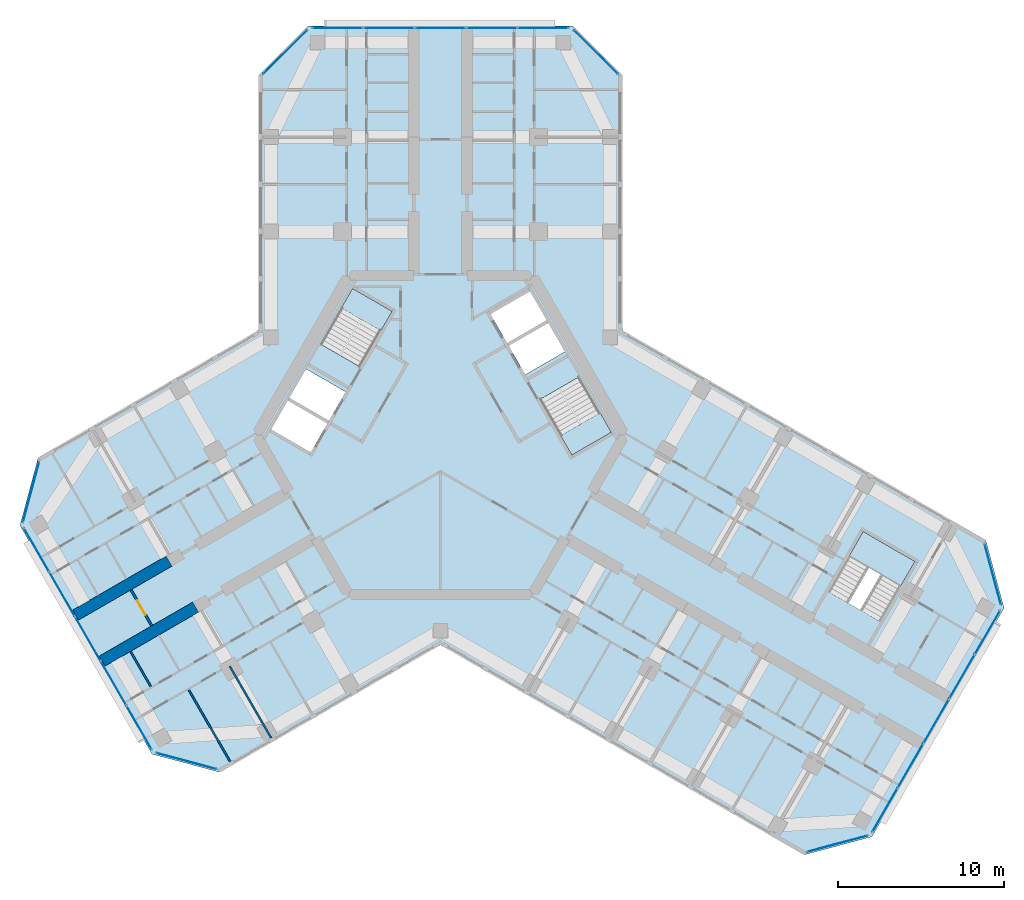
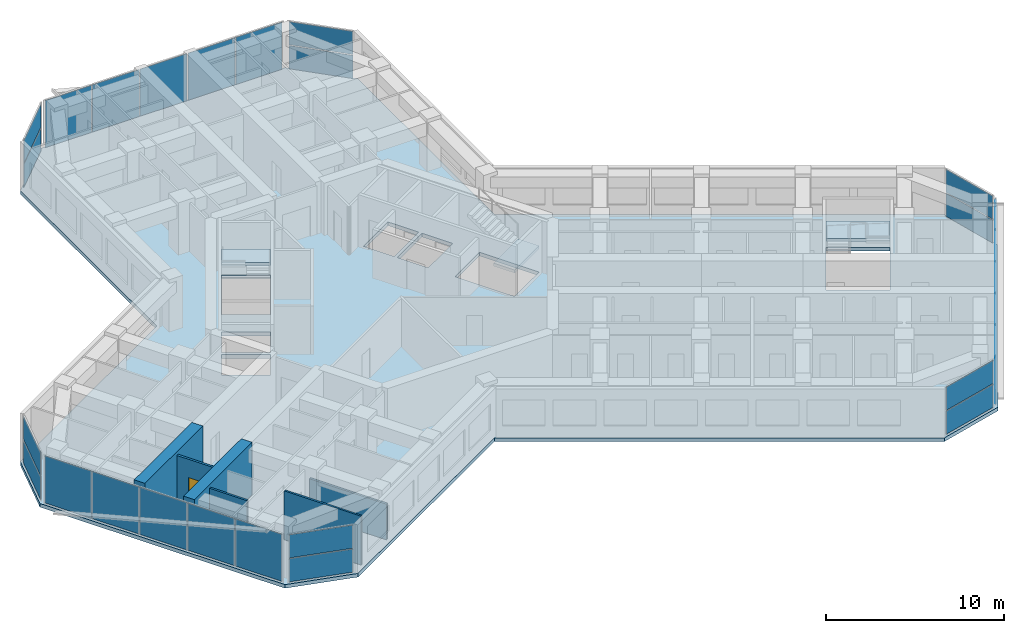
# One storey, part 7 of 16: 27 plates, 6 walls, 4 slabs, 1 door, 1 opening, 12 elements without a shape of their own.
"""IFC4 building model written with IfcOpenShell, lengths in metres."""

from ifc_helpers import new_model, si_unit, direction, frame, frame_2d, origin, origin_2d, place, context, subcontext, project, spatial, polyline, rectangle, outline, extrude, material, layer, layer_set, type_object, element, fill, aggregate, save


model = new_model("IFC4")

# Units and contexts
model_context = context("Model", 3, precision=1e-05, world=origin(), true_north=direction((0.0, 1.0)))
body_context = subcontext(model_context, "Body", "Model", "MODEL_VIEW")
ifc_project = project(units=[si_unit("LENGTHUNIT", "METRE"), si_unit("AREAUNIT", "SQUARE_METRE"), si_unit("VOLUMEUNIT", "CUBIC_METRE"), si_unit("PLANEANGLEUNIT", "RADIAN"), si_unit("MASSUNIT", "GRAM", prefix="KILO")], contexts=[model_context])

# Site, building, storey
site_placement = place(None, origin())
site = spatial("IfcSite", under=ifc_project, at=site_placement, CompositionType="ELEMENT")
building_placement = place(site_placement, origin())
building = spatial("IfcBuilding", under=site, at=building_placement, Name="Kosmar Iwan School Tower", CompositionType="ELEMENT")
storey_placement = place(building_placement, frame((0.0, 0.0, 208.199951171875)))
storey = spatial("IfcBuildingStorey", under=building, at=storey_placement, Name="L52", CompositionType="ELEMENT", Elevation=208.199951171875)

# Curtain wall, plates
ifc_material_1 = material(Name="Dark glass in black aluminium frame", Category="aluminium")
curtain_wall_type_1 = type_object("IfcCurtainWallType", Name="Chamfer curtain wall dark glass", PredefinedType="USERDEFINED", material=ifc_material_1)
curtain_wall_1_placement = place(storey_placement, origin())
curtain_wall_1 = element("IfcCurtainWall", 1, at=curtain_wall_1_placement, inside=storey, type_object=curtain_wall_type_1, Name="Curtain wall L52-F00", ObjectType="FACETED CURTAIN WALL", PredefinedType="USERDEFINED")
ifc_material_2 = material(Name="Dark glass", Category="glass")
ifc_layer_1 = layer(ifc_material_2, 0.028076171875)
ifc_layer_set_1 = layer_set([ifc_layer_1], Name="Dark glass panel 28")
plate_type = type_object("IfcPlateType", Name="Dark glass panel 28", PredefinedType="CURTAIN_PANEL", material=ifc_layer_set_1)
plate_1_placement = place(storey_placement, frame((23.908203125, -24.61328125, 0.06005859375), z_axis=(0.0, 0.0, 1.0), x_axis=(0.965925875495, 0.258818861462, 0.0)))
plate_1 = element("IfcPlate", 2, at=plate_1_placement, type_object=plate_type, Name="CW2 panel 1.1", PredefinedType="CURTAIN_PANEL", context=body_context, shape_type="SweptSolid", body=[
    extrude(rectangle(XDim=3.718994140625, YDim=0.028076171875, at=origin_2d()), origin(), (0.0, 0.0, 1.0), 1.5849609375),
])
plate_2_placement = place(storey_placement, frame((23.908203125, -24.61328125, 1.705078125), z_axis=(0.0, 0.0, 1.0), x_axis=(0.965925875495, 0.258818861462, 0.0)))
plate_2 = element("IfcPlate", 3, at=plate_2_placement, type_object=plate_type, Name="CW2 panel 1.2", PredefinedType="CURTAIN_PANEL", context=body_context, shape_type="SweptSolid", body=[
    extrude(rectangle(XDim=3.718994140625, YDim=0.028076171875, at=origin_2d()), origin(), (0.0, 0.0, 1.0), 1.5849609375),
])
aggregate(curtain_wall_1, [plate_1, plate_2])

ifc_material_3 = material(Name="Dark glass in black aluminium frame", Category="aluminium")
curtain_wall_type_2 = type_object("IfcCurtainWallType", Name="Tower curtain wall dark glass", PredefinedType="USERDEFINED", material=ifc_material_3)
curtain_wall_2_placement = place(storey_placement, origin())
curtain_wall_2 = element("IfcCurtainWall", 4, at=curtain_wall_2_placement, inside=storey, type_object=curtain_wall_type_2, Name="Curtain wall L52-F01", ObjectType="UNITISED CURTAIN WALL", PredefinedType="USERDEFINED")
plate_3_placement = place(storey_placement, frame((26.764404296875, -22.592529296875, 0.06005859375), z_axis=(0.0, 0.0, 1.0), x_axis=(0.499999997325, 0.866025405329, 0.0)))
plate_3 = element("IfcPlate", 5, at=plate_3_placement, type_object=plate_type, Name="CW1 panel 1.1", PredefinedType="CURTAIN_PANEL", context=body_context, shape_type="SweptSolid", body=[
    extrude(rectangle(XDim=3.00927734375, YDim=0.028076171875, at=origin_2d()), origin(), (0.0, 0.0, 1.0), 3.22998046875),
])
plate_4_placement = place(storey_placement, frame((28.306640625, -19.921630859375, 0.06005859375), z_axis=(0.0, 0.0, 1.0), x_axis=(0.499999997325, 0.866025405329, 0.0)))
plate_4 = element("IfcPlate", 6, at=plate_4_placement, type_object=plate_type, Name="CW1 panel 2.1", PredefinedType="CURTAIN_PANEL", context=body_context, shape_type="SweptSolid", body=[
    extrude(rectangle(XDim=3.039306640625, YDim=0.028076171875, at=origin_2d()), origin(), (0.0, 0.0, 1.0), 3.22998046875),
])
plate_5_placement = place(storey_placement, frame((29.856201171875, -17.237548828125, 0.06005859375), z_axis=(0.0, 0.0, 1.0), x_axis=(0.499999997325, 0.866025405329, 0.0)))
plate_5 = element("IfcPlate", 7, at=plate_5_placement, type_object=plate_type, Name="CW1 panel 3.1", PredefinedType="CURTAIN_PANEL", context=body_context, shape_type="SweptSolid", body=[
    extrude(rectangle(XDim=3.039306640625, YDim=0.028076171875, at=origin_2d()), origin(), (0.0, 0.0, 1.0), 3.22998046875),
])
plate_6_placement = place(storey_placement, frame((31.40576171875, -14.553466796875, 0.06005859375), z_axis=(0.0, 0.0, 1.0), x_axis=(0.499999997325, 0.866025405329, 0.0)))
plate_6 = element("IfcPlate", 8, at=plate_6_placement, type_object=plate_type, Name="CW1 panel 4.1", PredefinedType="CURTAIN_PANEL", context=body_context, shape_type="SweptSolid", body=[
    extrude(rectangle(XDim=3.039306640625, YDim=0.028076171875, at=origin_2d()), origin(), (0.0, 0.0, 1.0), 3.22998046875),
])
plate_7_placement = place(storey_placement, frame((32.947998046875, -11.88232421875, 0.06005859375), z_axis=(0.0, 0.0, 1.0), x_axis=(0.499999997325, 0.866025405329, 0.0)))
plate_7 = element("IfcPlate", 9, at=plate_7_placement, type_object=plate_type, Name="CW1 panel 5.1", PredefinedType="CURTAIN_PANEL", context=body_context, shape_type="SweptSolid", body=[
    extrude(rectangle(XDim=3.00927734375, YDim=0.028076171875, at=origin_2d()), origin(), (0.0, 0.0, 1.0), 3.22998046875),
])
aggregate(curtain_wall_2, [plate_3, plate_4, plate_5, plate_6, plate_7])

curtain_wall_3_placement = place(storey_placement, origin())
curtain_wall_3 = element("IfcCurtainWall", 10, at=curtain_wall_3_placement, inside=storey, type_object=curtain_wall_type_1, Name="Curtain wall L52-F02", ObjectType="FACETED CURTAIN WALL", PredefinedType="USERDEFINED")
plate_8_placement = place(storey_placement, frame((33.269775390625, -8.3984375, 0.06005859375), z_axis=(0.0, 0.0, 1.0), x_axis=(-0.258818861462, 0.965925875495, 0.0)))
plate_8 = element("IfcPlate", 11, at=plate_8_placement, type_object=plate_type, Name="CW2 panel 1.1", PredefinedType="CURTAIN_PANEL", context=body_context, shape_type="SweptSolid", body=[
    extrude(rectangle(XDim=3.718994140625, YDim=0.028076171875, at=origin_2d()), origin(), (0.0, 0.0, 1.0), 1.5849609375),
])
plate_9_placement = place(storey_placement, frame((33.269775390625, -8.3984375, 1.705078125), z_axis=(0.0, 0.0, 1.0), x_axis=(-0.258818861462, 0.965925875495, 0.0)))
plate_9 = element("IfcPlate", 12, at=plate_9_placement, type_object=plate_type, Name="CW2 panel 1.2", PredefinedType="CURTAIN_PANEL", context=body_context, shape_type="SweptSolid", body=[
    extrude(rectangle(XDim=3.718994140625, YDim=0.028076171875, at=origin_2d()), origin(), (0.0, 0.0, 1.0), 1.5849609375),
])
aggregate(curtain_wall_3, [plate_8, plate_9])

curtain_wall_4_placement = place(storey_placement, origin())
curtain_wall_4 = element("IfcCurtainWall", 13, at=curtain_wall_4_placement, inside=storey, type_object=curtain_wall_type_1, Name="Curtain wall L52-F05", ObjectType="FACETED CURTAIN WALL", PredefinedType="USERDEFINED")
plate_10_placement = place(storey_placement, frame((9.361572265625, 23.0615234375, 0.06005859375), z_axis=(0.0, 0.0, 1.0), x_axis=(-0.707106781187, 0.707106781187, 0.0)))
plate_10 = element("IfcPlate", 14, at=plate_10_placement, type_object=plate_type, Name="CW2 panel 1.1", PredefinedType="CURTAIN_PANEL", context=body_context, shape_type="SweptSolid", body=[
    extrude(rectangle(XDim=3.718994140625, YDim=0.028076171875, at=origin_2d()), origin(), (0.0, 0.0, 1.0), 1.5849609375),
])
plate_11_placement = place(storey_placement, frame((9.361572265625, 23.0615234375, 1.705078125), z_axis=(0.0, 0.0, 1.0), x_axis=(-0.707106781187, 0.707106781187, 0.0)))
plate_11 = element("IfcPlate", 15, at=plate_11_placement, type_object=plate_type, Name="CW2 panel 1.2", PredefinedType="CURTAIN_PANEL", context=body_context, shape_type="SweptSolid", body=[
    extrude(rectangle(XDim=3.718994140625, YDim=0.028076171875, at=origin_2d()), origin(), (0.0, 0.0, 1.0), 1.5849609375),
])
aggregate(curtain_wall_4, [plate_10, plate_11])

curtain_wall_5_placement = place(storey_placement, origin())
curtain_wall_5 = element("IfcCurtainWall", 16, at=curtain_wall_5_placement, inside=storey, type_object=curtain_wall_type_2, Name="Curtain wall L52-F06", ObjectType="UNITISED CURTAIN WALL", PredefinedType="USERDEFINED")
plate_12_placement = place(storey_placement, frame((6.18359375, 24.52490234375, 0.06005859375), z_axis=(0.0, 0.0, 1.0), x_axis=(-1.0, 0.0, 0.0)))
plate_12 = element("IfcPlate", 17, at=plate_12_placement, type_object=plate_type, Name="CW1 panel 1.1", PredefinedType="CURTAIN_PANEL", context=body_context, shape_type="SweptSolid", body=[
    extrude(rectangle(XDim=3.00927734375, YDim=0.028076171875, at=origin_2d()), origin(), (0.0, 0.0, 1.0), 3.22998046875),
])
plate_13_placement = place(storey_placement, frame((3.099365234375, 24.52490234375, 0.06005859375), z_axis=(0.0, 0.0, 1.0), x_axis=(-1.0, 0.0, 0.0)))
plate_13 = element("IfcPlate", 18, at=plate_13_placement, type_object=plate_type, Name="CW1 panel 2.1", PredefinedType="CURTAIN_PANEL", context=body_context, shape_type="SweptSolid", body=[
    extrude(rectangle(XDim=3.039306640625, YDim=0.028076171875, at=origin_2d()), origin(), (0.0, 0.0, 1.0), 3.22998046875),
])
plate_14_placement = place(storey_placement, frame((0.0, 24.52490234375, 0.06005859375), z_axis=(0.0, 0.0, 1.0), x_axis=(-1.0, 0.0, 0.0)))
plate_14 = element("IfcPlate", 19, at=plate_14_placement, type_object=plate_type, Name="CW1 panel 3.1", PredefinedType="CURTAIN_PANEL", context=body_context, shape_type="SweptSolid", body=[
    extrude(rectangle(XDim=3.039306640625, YDim=0.028076171875, at=origin_2d()), origin(), (0.0, 0.0, 1.0), 3.22998046875),
])
plate_15_placement = place(storey_placement, frame((-3.099365234375, 24.52490234375, 0.06005859375), z_axis=(0.0, 0.0, 1.0), x_axis=(-1.0, 0.0, 0.0)))
plate_15 = element("IfcPlate", 20, at=plate_15_placement, type_object=plate_type, Name="CW1 panel 4.1", PredefinedType="CURTAIN_PANEL", context=body_context, shape_type="SweptSolid", body=[
    extrude(rectangle(XDim=3.039306640625, YDim=0.028076171875, at=origin_2d()), origin(), (0.0, 0.0, 1.0), 3.22998046875),
])
plate_16_placement = place(storey_placement, frame((-6.18359375, 24.52490234375, 0.06005859375), z_axis=(0.0, 0.0, 1.0), x_axis=(-1.0, 0.0, 0.0)))
plate_16 = element("IfcPlate", 21, at=plate_16_placement, type_object=plate_type, Name="CW1 panel 5.1", PredefinedType="CURTAIN_PANEL", context=body_context, shape_type="SweptSolid", body=[
    extrude(rectangle(XDim=3.00927734375, YDim=0.028076171875, at=origin_2d()), origin(), (0.0, 0.0, 1.0), 3.22998046875),
])
aggregate(curtain_wall_5, [plate_12, plate_13, plate_14, plate_15, plate_16])

curtain_wall_6_placement = place(storey_placement, origin())
curtain_wall_6 = element("IfcCurtainWall", 22, at=curtain_wall_6_placement, inside=storey, type_object=curtain_wall_type_1, Name="Curtain wall L52-F07", ObjectType="FACETED CURTAIN WALL", PredefinedType="USERDEFINED")
plate_17_placement = place(storey_placement, frame((-9.361572265625, 23.0615234375, 0.06005859375), z_axis=(0.0, 0.0, 1.0), x_axis=(-0.707106781187, -0.707106781187, 0.0)))
plate_17 = element("IfcPlate", 23, at=plate_17_placement, type_object=plate_type, Name="CW2 panel 1.1", PredefinedType="CURTAIN_PANEL", context=body_context, shape_type="SweptSolid", body=[
    extrude(rectangle(XDim=3.718994140625, YDim=0.028076171875, at=origin_2d()), origin(), (0.0, 0.0, 1.0), 1.5849609375),
])
plate_18_placement = place(storey_placement, frame((-9.361572265625, 23.0615234375, 1.705078125), z_axis=(0.0, 0.0, 1.0), x_axis=(-0.707106781187, -0.707106781187, 0.0)))
plate_18 = element("IfcPlate", 24, at=plate_18_placement, type_object=plate_type, Name="CW2 panel 1.2", PredefinedType="CURTAIN_PANEL", context=body_context, shape_type="SweptSolid", body=[
    extrude(rectangle(XDim=3.718994140625, YDim=0.028076171875, at=origin_2d()), origin(), (0.0, 0.0, 1.0), 1.5849609375),
])
aggregate(curtain_wall_6, [plate_17, plate_18])

curtain_wall_7_placement = place(storey_placement, origin())
curtain_wall_7 = element("IfcCurtainWall", 25, at=curtain_wall_7_placement, inside=storey, type_object=curtain_wall_type_1, Name="Curtain wall L52-F10", ObjectType="FACETED CURTAIN WALL", PredefinedType="USERDEFINED")
plate_19_placement = place(storey_placement, frame((-24.65283203125, -3.42333984375, 0.06005859375), z_axis=(0.0, 0.0, 1.0), x_axis=(-0.258818861462, -0.965925875495, 0.0)))
plate_19 = element("IfcPlate", 26, at=plate_19_placement, type_object=plate_type, Name="CW2 panel 1.1", PredefinedType="CURTAIN_PANEL", context=body_context, shape_type="SweptSolid", body=[
    extrude(rectangle(XDim=3.718994140625, YDim=0.028076171875, at=origin_2d()), origin(), (0.0, 0.0, 1.0), 1.5849609375),
])
plate_20_placement = place(storey_placement, frame((-24.65283203125, -3.42333984375, 1.705078125), z_axis=(0.0, 0.0, 1.0), x_axis=(-0.258818861462, -0.965925875495, 0.0)))
plate_20 = element("IfcPlate", 27, at=plate_20_placement, type_object=plate_type, Name="CW2 panel 1.2", PredefinedType="CURTAIN_PANEL", context=body_context, shape_type="SweptSolid", body=[
    extrude(rectangle(XDim=3.718994140625, YDim=0.028076171875, at=origin_2d()), origin(), (0.0, 0.0, 1.0), 1.5849609375),
])
aggregate(curtain_wall_7, [plate_19, plate_20])

curtain_wall_8_placement = place(storey_placement, origin())
curtain_wall_8 = element("IfcCurtainWall", 28, at=curtain_wall_8_placement, inside=storey, type_object=curtain_wall_type_2, Name="Curtain wall L52-F11", ObjectType="UNITISED CURTAIN WALL", PredefinedType="USERDEFINED")
plate_21_placement = place(storey_placement, frame((-24.3310546875, -6.907470703125, 0.06005859375), z_axis=(0.0, 0.0, 1.0), x_axis=(0.499999997325, -0.866025405329, 0.0)))
plate_21 = element("IfcPlate", 29, at=plate_21_placement, type_object=plate_type, Name="CW1 panel 1.1", PredefinedType="CURTAIN_PANEL", context=body_context, shape_type="SweptSolid", body=[
    extrude(rectangle(XDim=3.00927734375, YDim=0.028076171875, at=origin_2d()), origin(), (0.0, 0.0, 1.0), 3.22998046875),
])
plate_22_placement = place(storey_placement, frame((-22.788818359375, -9.578369140625, 0.06005859375), z_axis=(0.0, 0.0, 1.0), x_axis=(0.499999997325, -0.866025405329, 0.0)))
plate_22 = element("IfcPlate", 30, at=plate_22_placement, type_object=plate_type, Name="CW1 panel 2.1", PredefinedType="CURTAIN_PANEL", context=body_context, shape_type="SweptSolid", body=[
    extrude(rectangle(XDim=3.039306640625, YDim=0.028076171875, at=origin_2d()), origin(), (0.0, 0.0, 1.0), 3.22998046875),
])
plate_23_placement = place(storey_placement, frame((-21.2392578125, -12.262451171875, 0.06005859375), z_axis=(0.0, 0.0, 1.0), x_axis=(0.499999997325, -0.866025405329, 0.0)))
plate_23 = element("IfcPlate", 31, at=plate_23_placement, type_object=plate_type, Name="CW1 panel 3.1", PredefinedType="CURTAIN_PANEL", context=body_context, shape_type="SweptSolid", body=[
    extrude(rectangle(XDim=3.039306640625, YDim=0.028076171875, at=origin_2d()), origin(), (0.0, 0.0, 1.0), 3.22998046875),
])
plate_24_placement = place(storey_placement, frame((-19.689697265625, -14.946533203125, 0.06005859375), z_axis=(0.0, 0.0, 1.0), x_axis=(0.499999997325, -0.866025405329, 0.0)))
plate_24 = element("IfcPlate", 32, at=plate_24_placement, type_object=plate_type, Name="CW1 panel 4.1", PredefinedType="CURTAIN_PANEL", context=body_context, shape_type="SweptSolid", body=[
    extrude(rectangle(XDim=3.039306640625, YDim=0.028076171875, at=origin_2d()), origin(), (0.0, 0.0, 1.0), 3.22998046875),
])
plate_25_placement = place(storey_placement, frame((-18.1474609375, -17.61767578125, 0.06005859375), z_axis=(0.0, 0.0, 1.0), x_axis=(0.499999997325, -0.866025405329, 0.0)))
plate_25 = element("IfcPlate", 33, at=plate_25_placement, type_object=plate_type, Name="CW1 panel 5.1", PredefinedType="CURTAIN_PANEL", context=body_context, shape_type="SweptSolid", body=[
    extrude(rectangle(XDim=3.00927734375, YDim=0.028076171875, at=origin_2d()), origin(), (0.0, 0.0, 1.0), 3.22998046875),
])
aggregate(curtain_wall_8, [plate_21, plate_22, plate_23, plate_24, plate_25])

curtain_wall_9_placement = place(storey_placement, origin())
curtain_wall_9 = element("IfcCurtainWall", 34, at=curtain_wall_9_placement, inside=storey, type_object=curtain_wall_type_1, Name="Curtain wall L52-F12", ObjectType="FACETED CURTAIN WALL", PredefinedType="USERDEFINED")
plate_26_placement = place(storey_placement, frame((-15.291015625, -19.63818359375, 0.06005859375), z_axis=(0.0, 0.0, 1.0), x_axis=(0.965925875495, -0.258818861462, 0.0)))
plate_26 = element("IfcPlate", 35, at=plate_26_placement, type_object=plate_type, Name="CW2 panel 1.1", PredefinedType="CURTAIN_PANEL", context=body_context, shape_type="SweptSolid", body=[
    extrude(rectangle(XDim=3.718994140625, YDim=0.028076171875, at=origin_2d()), origin(), (0.0, 0.0, 1.0), 1.5849609375),
])
plate_27_placement = place(storey_placement, frame((-15.291015625, -19.63818359375, 1.705078125), z_axis=(0.0, 0.0, 1.0), x_axis=(0.965925875495, -0.258818861462, 0.0)))
plate_27 = element("IfcPlate", 36, at=plate_27_placement, type_object=plate_type, Name="CW2 panel 1.2", PredefinedType="CURTAIN_PANEL", context=body_context, shape_type="SweptSolid", body=[
    extrude(rectangle(XDim=3.718994140625, YDim=0.028076171875, at=origin_2d()), origin(), (0.0, 0.0, 1.0), 1.5849609375),
])
aggregate(curtain_wall_9, [plate_26, plate_27])

# Stair, slab
ifc_material_4 = material(Name="Concrete C35/45", Category="concrete")
stair_type_1 = type_object("IfcStairType", Name="Escape stair 3600", PredefinedType="HALF_TURN_STAIR", material=ifc_material_4)
stair_1_placement = place(storey_placement, origin())
stair_1 = element("IfcStair", 37, at=stair_1_placement, inside=storey, type_object=stair_type_1, Name="Stair WS3 L52", PredefinedType="HALF_TURN_STAIR")
ifc_material_5 = material(Name="Concrete C35/45", Category="concrete")
ifc_layer_2 = layer(ifc_material_5, 0.199951171875)
ifc_layer_set_2 = layer_set([ifc_layer_2], Name="Escape stair landing 200")
slab_type_1 = type_object("IfcSlabType", Name="Escape stair landing 200", PredefinedType="LANDING", material=ifc_layer_set_2)
slab_1_placement = place(storey_placement, frame((0.0, 0.0, 1.60009765625)))
slab_1 = element("IfcSlab", 38, at=slab_1_placement, type_object=slab_type_1, Name="WS3 landing 1", PredefinedType="LANDING", context=body_context, shape_type="SweptSolid", body=[
    extrude(outline(polyline([(24.607421875, -7.27880859375), (27.72509765625, -9.078857421875), (28.574951171875, -7.606689453125), (25.457275390625, -5.806640625), (24.607421875, -7.27880859375)])), origin(), (0.0, 0.0, 1.0), 0.199951171875),
])
aggregate(stair_1, [slab_1])

# Slab
ifc_material_6 = material(Name="Concrete C35/45", Category="concrete")
ifc_layer_3 = layer(ifc_material_6, 0.25)
ifc_layer_set_3 = layer_set([ifc_layer_3], Name="Floor slab 250")
slab_type_2 = type_object("IfcSlabType", Name="Floor slab 250", PredefinedType="FLOOR", material=ifc_layer_set_3)
slab_2_placement = place(storey_placement, frame((0.0, 0.0, -0.25)))
element("IfcSlab", 39, at=slab_2_placement, inside=storey, type_object=slab_type_2, Name="L52 floor slab", PredefinedType="FLOOR", context=body_context, shape_type="SweptSolid", body=[
    extrude(outline(polyline([(21.891357421875, -25.282958984375), (25.989501953125, -24.184814453125), (33.939453125, -10.4150390625), (32.84130859375, -6.317138671875), (10.949951171875, 6.322021484375), (10.949951171875, 21.64990234375), (7.949951171875, 24.64990234375), (-7.949951171875, 24.64990234375), (-10.949951171875, 21.64990234375), (-10.949951171875, 6.322021484375), (-24.224365234375, -1.342041015625), (-25.322509765625, -5.440185546875), (-17.37255859375, -19.2099609375), (-13.2744140625, -20.307861328125), (0.0, -12.64404296875), (21.891357421875, -25.282958984375)]), holes=[polyline([(7.91259765625, -1.205078125), (10.294189453125, 0.169921875), (8.3642578125, 3.5126953125), (5.982666015625, 2.1376953125), (7.91259765625, -1.205078125)]), polyline([(-2.91259765625, 7.455078125), (-5.294189453125, 8.830078125), (-7.22412109375, 5.4873046875), (-4.8427734375, 4.1123046875), (-2.91259765625, 7.455078125)]), polyline([(-5.712646484375, 2.60546875), (-8.09423828125, 3.98046875), (-9.09423828125, 2.248291015625), (-6.712646484375, 0.873291015625), (-5.712646484375, 2.60546875)]), polyline([(-6.812744140625, 0.7001953125), (-9.1943359375, 2.0751953125), (-10.1943359375, 0.343017578125), (-7.812744140625, -1.031982421875), (-6.812744140625, 0.7001953125)]), polyline([(5.112548828125, 3.64453125), (7.494140625, 5.01953125), (6.494140625, 6.751708984375), (4.112548828125, 5.376708984375), (5.112548828125, 3.64453125)]), polyline([(4.0126953125, 5.5498046875), (6.394287109375, 6.9248046875), (5.394287109375, 8.656982421875), (3.0126953125, 7.281982421875), (4.0126953125, 5.5498046875)]), polyline([(23.367431640625, -9.426513671875), (26.485107421875, -11.2265625), (28.574951171875, -7.606689453125), (25.457275390625, -5.806640625), (23.367431640625, -9.426513671875)])]), origin(), (0.0, 0.0, 1.0), 0.25),
])

# Stair, slab
ifc_material_7 = material(Name="Concrete C35/45", Category="concrete")
stair_type_2 = type_object("IfcStairType", Name="Core stair 2750", PredefinedType="HALF_TURN_STAIR", material=ifc_material_7)
stair_2_placement = place(storey_placement, origin())
stair_2 = element("IfcStair", 40, at=stair_2_placement, inside=storey, type_object=stair_type_2, Name="Stair ST2 L52", PredefinedType="HALF_TURN_STAIR")
ifc_material_8 = material(Name="Concrete C35/45", Category="concrete")
ifc_layer_4 = layer(ifc_material_8, 0.199951171875)
ifc_layer_set_4 = layer_set([ifc_layer_4], Name="Stair landing 200")
slab_type_3 = type_object("IfcSlabType", Name="Stair landing 200", PredefinedType="LANDING", material=ifc_layer_set_4)
slab_3_placement = place(storey_placement, frame((0.0, 0.0, 1.60009765625)))
slab_3 = element("IfcSlab", 41, at=slab_3_placement, type_object=slab_type_3, Name="ST2 landing 1", PredefinedType="LANDING", context=body_context, shape_type="SweptSolid", body=[
    extrude(outline(polyline([(-2.91259765625, 7.455078125), (-5.294189453125, 8.830078125), (-5.97412109375, 7.65234375), (-3.5927734375, 6.27734375), (-2.91259765625, 7.455078125)])), origin(), (0.0, 0.0, 1.0), 0.199951171875),
])
aggregate(stair_2, [slab_3])

stair_3_placement = place(storey_placement, origin())
stair_3 = element("IfcStair", 42, at=stair_3_placement, inside=storey, type_object=stair_type_2, Name="Stair ST1 L52", PredefinedType="HALF_TURN_STAIR")
slab_4_placement = place(storey_placement, frame((0.0, 0.0, 1.60009765625)))
slab_4 = element("IfcSlab", 43, at=slab_4_placement, type_object=slab_type_3, Name="ST1 landing 1", PredefinedType="LANDING", context=body_context, shape_type="SweptSolid", body=[
    extrude(outline(polyline([(7.91259765625, -1.205078125), (10.294189453125, 0.169921875), (9.6142578125, 1.34765625), (7.232666015625, -0.02734375), (7.91259765625, -1.205078125)])), origin(), (0.0, 0.0, 1.0), 0.199951171875),
])
aggregate(stair_3, [slab_4])

# Walls
ifc_material_9 = material(Name="Concrete C50/60", Category="concrete")
ifc_layer_5 = layer(ifc_material_9, 0.699951171875)
ifc_layer_set_5 = layer_set([ifc_layer_5], Name="Corridor buttress wall 700")
wall_type_1 = type_object("IfcWallType", Name="Corridor buttress wall 700", PredefinedType="SHEAR", material=ifc_layer_set_5)
wall_1_placement = place(storey_placement, frame((-14.7451171875, -10.360595703125, 0.0), z_axis=(0.0, 0.0, 1.0), x_axis=(-0.866027848477, -0.499995765644, 0.0)))
element("IfcWall", 44, at=wall_1_placement, inside=storey, type_object=wall_type_1, Name="Corridor wall BL bay 2", PredefinedType="SHEAR", context=body_context, shape_type="SweptSolid", body=[
    extrude(rectangle(XDim=6.4951171875, YDim=0.699951171875, at=frame_2d((3.24755859375, 0.0))), origin(), (0.0, 0.0, 1.0), 3.60009765625),
])
wall_2_placement = place(storey_placement, frame((-16.34521484375, -7.58935546875, 0.0), z_axis=(0.0, 0.0, 1.0), x_axis=(-0.866018451174, -0.500012042081, 0.0)))
element("IfcWall", 45, at=wall_2_placement, inside=storey, type_object=wall_type_1, Name="Corridor wall BR bay 2", PredefinedType="SHEAR", context=body_context, shape_type="SweptSolid", body=[
    extrude(rectangle(XDim=6.494873046875, YDim=0.699951171875, at=frame_2d((3.24755859375, 0.0))), origin(), (0.0, 0.0, 1.0), 3.60009765625),
])

# Wall, opening, door
ifc_material_10 = material(Name="Gypsum board on steel studs, fire-rated", Category="steel")
ifc_layer_6 = layer(ifc_material_10, 0.14990234375)
ifc_layer_set_6 = layer_set([ifc_layer_6], Name="Corridor end wall 150")
wall_type_2 = type_object("IfcWallType", Name="Corridor end wall 150", PredefinedType="PARTITIONING", material=ifc_layer_set_6)
wall_3_placement = place(storey_placement, frame((-18.638427734375, -9.3173828125, 0.0), z_axis=(0.0, 0.0, 1.0), x_axis=(0.500004234368, -0.866022959057, 0.0)))
wall_3 = element("IfcWall", 46, at=wall_3_placement, inside=storey, type_object=wall_type_2, Name="Partition L52-B-CE", PredefinedType="PARTITIONING", context=body_context, shape_type="SweptSolid", body=[
    extrude(rectangle(XDim=2.5, YDim=0.14990234375, at=frame_2d((1.25, 0.0))), origin(), (0.0, 0.0, 1.0), 3.35009765625),
])
opening_placement = place(wall_3_placement, frame((0.75, 0.0, 0.0)))
opening = element("IfcOpeningElement", 47, at=opening_placement, cuts=wall_3, Name="Opening D13", PredefinedType="OPENING", context=body_context, shape_type="SweptSolid", body=[
    extrude(rectangle(XDim=1.0, YDim=2.10009765625, at=frame_2d((0.5, 1.050048828125))), frame((0.0, 0.0869140625, 0.0), z_axis=(0.0, -1.0, 0.0), x_axis=(1.0, 0.0, 0.0)), (0.0, 0.0, 1.0), 0.173828125),
])
ifc_material_11 = material(Name="Timber fire door with vision panel", Category="wood")
door_type = type_object("IfcDoorType", Name="Corridor end door 1000x2100", OperationType="SINGLE_SWING_LEFT", PredefinedType="DOOR", material=ifc_material_11)
door_placement = place(opening_placement, origin())
door = element("IfcDoor", 48, at=door_placement, inside=storey, type_object=door_type, Name="Hobby workshop door L52-B", OperationType="SINGLE_SWING_RIGHT", OverallHeight=2.10009765625, OverallWidth=1.0, PredefinedType="DOOR", context=body_context, shape_type="SweptSolid", body=[
    extrude(rectangle(XDim=1.0, YDim=2.10009765625, at=frame_2d((0.5, 1.050048828125))), frame((0.0, 0.02490234375, 0.0), z_axis=(0.0, -1.0, 0.0), x_axis=(1.0, 0.0, 0.0)), (0.0, 0.0, 1.0), 0.050048828125),
])
fill(opening, door)

# Walls
ifc_material_12 = material(Name="Gypsum board on steel studs", Category="steel")
ifc_layer_7 = layer(ifc_material_12, 0.1201171875)
ifc_layer_set_7 = layer_set([ifc_layer_7], Name="Dwelling partition 120")
wall_type_3 = type_object("IfcWallType", Name="Dwelling partition 120", PredefinedType="PARTITIONING", material=ifc_layer_set_7)
wall_4_placement = place(storey_placement, frame((-12.690185546875, -13.919921875, 0.0), z_axis=(0.0, 0.0, 1.0), x_axis=(0.500011847778, -0.866018563358, 0.0)))
element("IfcWall", 49, at=wall_4_placement, inside=storey, type_object=wall_type_3, Name="Partition L52-BL1-X2", PredefinedType="PARTITIONING", context=body_context, shape_type="SweptSolid", body=[
    extrude(rectangle(XDim=4.990234375, YDim=0.1201171875, at=frame_2d((2.4951171875, 0.0))), origin(), (0.0, 0.0, 1.0), 2.449951171875),
])
wall_5_placement = place(storey_placement, frame((-15.158447265625, -15.344970703125, 0.0), z_axis=(0.0, 0.0, 1.0), x_axis=(0.500011847778, -0.866018563358, 0.0)))
element("IfcWall", 50, at=wall_5_placement, inside=storey, type_object=wall_type_3, Name="Partition L52-BL1-X3", PredefinedType="PARTITIONING", context=body_context, shape_type="SweptSolid", body=[
    extrude(rectangle(XDim=4.990234375, YDim=0.1201171875, at=frame_2d((2.4951171875, 0.0))), origin(), (0.0, 0.0, 1.0), 3.35009765625),
])
wall_6_placement = place(storey_placement, frame((-18.665283203125, -13.028076171875, 0.0), z_axis=(0.0, 0.0, 1.0), x_axis=(0.500002508028, -0.866023955769, 0.0)))
element("IfcWall", 51, at=wall_6_placement, inside=storey, type_object=wall_type_3, Name="Partition L52-BL1-Y6", PredefinedType="PARTITIONING", context=body_context, shape_type="SweptSolid", body=[
    extrude(rectangle(XDim=2.43994140625, YDim=0.1201171875, at=frame_2d((1.219970703125, 0.0))), origin(), (0.0, 0.0, 1.0), 3.35009765625),
])

save(model, "model.ifc")
